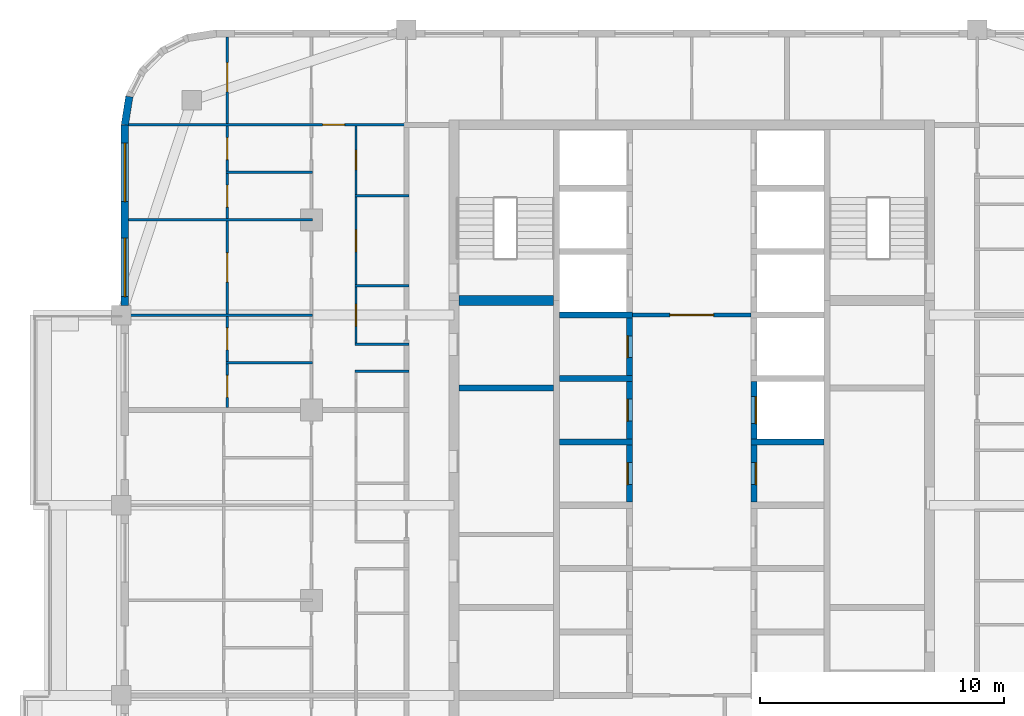
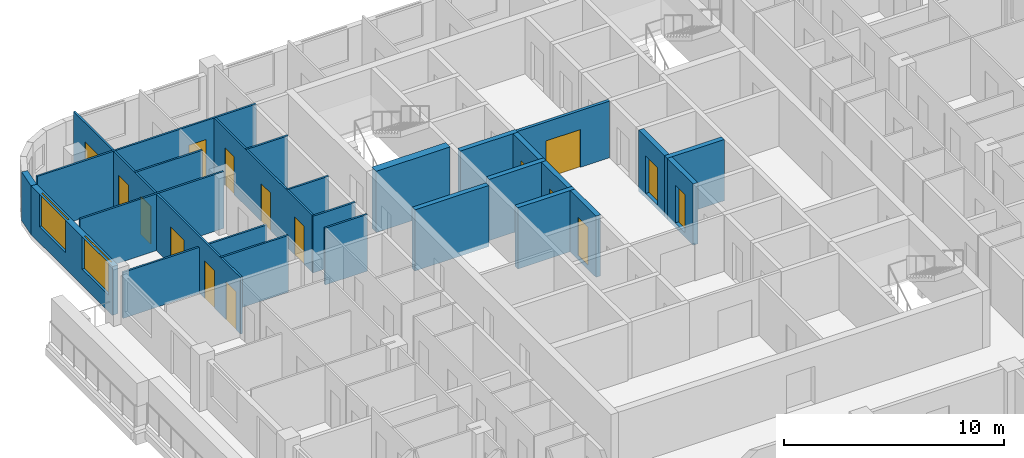
# One storey, part 9 of 17: 25 walls, 16 doors, 2 windows, 18 openings.
"""IFC4 building model written with IfcOpenShell, lengths in metres."""

from ifc_helpers import new_model, si_unit, direction, frame, frame_2d, origin, place, context, subcontext, project, spatial, rectangle, extrude, material, layer, layer_set, type_object, element, fill, save


model = new_model("IFC4")

# Units and contexts
model_context = context("Model", 3, precision=1e-05, world=origin(), true_north=direction((0.0, 1.0)))
body_context = subcontext(model_context, "Body", "Model", "MODEL_VIEW")
ifc_project = project(units=[si_unit("LENGTHUNIT", "METRE"), si_unit("AREAUNIT", "SQUARE_METRE"), si_unit("VOLUMEUNIT", "CUBIC_METRE"), si_unit("PLANEANGLEUNIT", "RADIAN"), si_unit("MASSUNIT", "GRAM", prefix="KILO")], contexts=[model_context])

# Site, building, storey
site_placement = place(None, origin())
site = spatial("IfcSite", under=ifc_project, at=site_placement, CompositionType="ELEMENT")
building_placement = place(site_placement, origin())
building = spatial("IfcBuilding", under=site, at=building_placement, Name="Ludao Terraces", CompositionType="ELEMENT")
storey_placement = place(building_placement, frame((0.0, 0.0, 231.300048828125)))
storey = spatial("IfcBuildingStorey", under=building, at=storey_placement, Name="L63", CompositionType="ELEMENT", Elevation=231.300048828125)

# Wall, openings, windows
ifc_material_1 = material(Name="Granite cladding", Category="masonry")
ifc_layer_1 = layer(ifc_material_1, 0.0400390625, Category="stone")
ifc_material_2 = material(Name="Mineral wool")
ifc_layer_2 = layer(ifc_material_2, 0.06005859375)
ifc_material_3 = material(Name="Concrete C40", Category="concrete")
ifc_layer_3 = layer(ifc_material_3, 0.199951171875, Category="concrete")
ifc_layer_set_1 = layer_set([ifc_layer_1, ifc_layer_2, ifc_layer_3], Name="ENV Stone-clad wall 300")
wall_type_1 = type_object("IfcWallType", Name="ENV Stone-clad wall 300", PredefinedType="SOLIDWALL", material=ifc_layer_set_1)
wall_1_placement = place(storey_placement, frame((61.75, 77.10009765625, 0.0), z_axis=(0.0, 0.0, 1.0), x_axis=(0.0, 1.0, 0.0)))
wall_1 = element("IfcWall", 1, at=wall_1_placement, inside=storey, type_object=wall_type_1, Name="EW-L63-W5", PredefinedType="SOLIDWALL", context=body_context, shape_type="SweptSolid", body=[
    extrude(rectangle(XDim=7.39990234375, YDim=0.300048828125, at=frame_2d((3.699951171875, 0.0))), origin(), (0.0, 0.0, 1.0), 2.699951171875),
])
opening_1_placement = place(wall_1_placement, frame((0.35009765625, 0.0, 0.89990234375)))
opening_1 = element("IfcOpeningElement", 2, at=opening_1_placement, cuts=wall_1, Name="Opening W1", PredefinedType="OPENING", context=body_context, shape_type="SweptSolid", body=[
    extrude(rectangle(XDim=2.39990234375, YDim=1.800048828125, at=frame_2d((1.199951171875, 0.89990234375))), frame((0.0, 0.16015625, 0.0), z_axis=(0.0, -1.0, 0.0), x_axis=(1.0, 0.0, 0.0)), (0.0, 0.0, 1.0), 0.320068359375),
])
opening_2_placement = place(wall_1_placement, frame((4.25, 0.0, 0.89990234375)))
opening_2 = element("IfcOpeningElement", 3, at=opening_2_placement, cuts=wall_1, Name="Opening W1", PredefinedType="OPENING", context=body_context, shape_type="SweptSolid", body=[
    extrude(rectangle(XDim=2.39990234375, YDim=1.800048828125, at=frame_2d((1.199951171875, 0.89990234375))), frame((0.0, 0.16015625, 0.0), z_axis=(0.0, -1.0, 0.0), x_axis=(1.0, 0.0, 0.0)), (0.0, 0.0, 1.0), 0.320068359375),
])
ifc_material_4 = material(Name="Clear glass in aluminium frame", Category="aluminium")
ifc_layer_4 = layer(ifc_material_4, 0.06005859375)
ifc_layer_set_2 = layer_set([ifc_layer_4], Name="ENV Window W1 2400x1800")
window_type = type_object("IfcWindowType", Name="ENV Window W1 2400x1800", PartitioningType="DOUBLE_PANEL_VERTICAL", PredefinedType="WINDOW", material=ifc_layer_set_2)
window_1_placement = place(opening_1_placement, origin())
window_1 = element("IfcWindow", 4, at=window_1_placement, inside=storey, type_object=window_type, Name="W-L63-W5-1", OverallHeight=1.800048828125, OverallWidth=2.39990234375, PartitioningType="DOUBLE_PANEL_VERTICAL", PredefinedType="WINDOW", context=body_context, shape_type="SweptSolid", body=[
    extrude(rectangle(XDim=2.39990234375, YDim=1.800048828125, at=frame_2d((1.199951171875, 0.89990234375))), frame((0.0, 0.030029296875, 0.0), z_axis=(0.0, -1.0, 0.0), x_axis=(1.0, 0.0, 0.0)), (0.0, 0.0, 1.0), 0.06005859375),
])
fill(opening_1, window_1)
window_2_placement = place(opening_2_placement, origin())
window_2 = element("IfcWindow", 5, at=window_2_placement, inside=storey, type_object=window_type, Name="W-L63-W5-2", OverallHeight=1.800048828125, OverallWidth=2.39990234375, PartitioningType="DOUBLE_PANEL_VERTICAL", PredefinedType="WINDOW", context=body_context, shape_type="SweptSolid", body=[
    extrude(rectangle(XDim=2.39990234375, YDim=1.800048828125, at=frame_2d((1.199951171875, 0.89990234375))), frame((0.0, 0.030029296875, 0.0), z_axis=(0.0, -1.0, 0.0), x_axis=(1.0, 0.0, 0.0)), (0.0, 0.0, 1.0), 0.06005859375),
])
fill(opening_2, window_2)

# Wall
wall_2_placement = place(storey_placement, frame((61.93359375, 85.65869140625, 0.0), z_axis=(0.0, 0.0, 1.0), x_axis=(-0.156496880861, -0.987678452879, 0.0)))
element("IfcWall", 6, at=wall_2_placement, inside=storey, type_object=wall_type_1, Name="EW-L63-NW5", PredefinedType="SOLIDWALL", context=body_context, shape_type="SweptSolid", body=[
    extrude(rectangle(XDim=1.173095703125, YDim=0.300048828125, at=frame_2d((0.58642578125, 0.0))), origin(), (0.0, 0.0, 1.0), 2.699951171875),
])

# Wall, opening, door
ifc_material_5 = material(Name="Fire-rated gypsum plasterboard", Category="gypsum")
ifc_layer_5 = layer(ifc_material_5, 0.012451171875, Category="gypsum")
ifc_layer_6 = layer(ifc_material_2, 0.10009765625, Name="insulation")
ifc_material_6 = material(Name="Steel Q235", Category="steel")
ifc_layer_7 = layer(ifc_material_6, 0.02490234375, Name="stud")
ifc_layer_8 = layer(ifc_material_5, 0.012451171875, Category="gypsum")
ifc_layer_set_3 = layer_set([ifc_layer_5, ifc_layer_6, ifc_layer_7, ifc_layer_8], Name="INT Core partition 150")
wall_type_2 = type_object("IfcWallType", Name="INT Core partition 150", PredefinedType="PARTITIONING", material=ifc_layer_set_3)
wall_3_placement = place(storey_placement, frame((82.5751953125, 76.699951171875, 0.0), z_axis=(0.0, 0.0, 1.0), x_axis=(1.0, 0.0, 0.0)))
wall_3 = element("IfcWall", 7, at=wall_3_placement, inside=storey, type_object=wall_type_2, Name="PW-L63-PW055", PredefinedType="PARTITIONING", context=body_context, shape_type="SweptSolid", body=[
    extrude(rectangle(XDim=4.849853515625, YDim=0.14990234375, at=frame_2d((2.4248046875, 0.0))), origin(), (0.0, 0.0, 1.0), 3.14990234375),
])
opening_3_placement = place(wall_3_placement, frame((1.52490234375, 0.0, 0.0)))
opening_3 = element("IfcOpeningElement", 8, at=opening_3_placement, cuts=wall_3, Name="Opening R22-105", PredefinedType="OPENING", context=body_context, shape_type="SweptSolid", body=[
    extrude(rectangle(XDim=1.800048828125, YDim=2.10009765625, at=frame_2d((0.89990234375, 1.050048828125))), frame((0.0, 0.0849609375, 0.0), z_axis=(0.0, -1.0, 0.0), x_axis=(1.0, 0.0, 0.0)), (0.0, 0.0, 1.0), 0.169921875),
])
door_type_1 = type_object("IfcDoorType", Name="INT Fire lobby door 1800", OperationType="DOUBLE_DOOR_SINGLE_SWING", PredefinedType="DOOR", material=ifc_material_6)
door_1_placement = place(opening_3_placement, origin())
door_1 = element("IfcDoor", 9, at=door_1_placement, inside=storey, type_object=door_type_1, Name="DOOR 105", OperationType="DOUBLE_DOOR_SINGLE_SWING", OverallHeight=2.10009765625, OverallWidth=1.800048828125, PredefinedType="DOOR", context=body_context, shape_type="SweptSolid", body=[
    extrude(rectangle(XDim=1.800048828125, YDim=2.10009765625, at=frame_2d((0.89990234375, 1.050048828125))), frame((0.0, 0.02490234375, 0.0), z_axis=(0.0, -1.0, 0.0), x_axis=(1.0, 0.0, 0.0)), (0.0, 0.0, 1.0), 0.050048828125),
])
fill(opening_3, door_1)

# Walls
ifc_material_7 = material(Name="Gypsum plasterboard", Category="gypsum")
ifc_layer_9 = layer(ifc_material_7, 0.012451171875, Category="gypsum")
ifc_layer_10 = layer(ifc_material_2, 0.06005859375, Name="insulation")
ifc_layer_11 = layer(ifc_material_6, 0.014892578125, Name="stud")
ifc_layer_12 = layer(ifc_material_7, 0.012451171875, Category="gypsum")
ifc_layer_set_4 = layer_set([ifc_layer_9, ifc_layer_10, ifc_layer_11, ifc_layer_12], Name="INT Partition 100")
wall_type_3 = type_object("IfcWallType", Name="INT Partition 100", PredefinedType="PARTITIONING", material=ifc_layer_set_4)
wall_4_placement = place(storey_placement, frame((71.18017578125, 74.39990234375, 0.0), z_axis=(0.0, 0.0, 1.0), x_axis=(1.0, 0.0, 0.0)))
element("IfcWall", 10, at=wall_4_placement, inside=storey, type_object=wall_type_3, Name="PW-L63-PW050", PredefinedType="PARTITIONING", context=body_context, shape_type="SweptSolid", body=[
    extrude(rectangle(XDim=2.219970703125, YDim=0.10009765625, at=frame_2d((1.10986328125, 0.0))), origin(), (0.0, 0.0, 1.0), 3.14990234375),
])
wall_5_placement = place(storey_placement, frame((65.900146484375, 74.75, 0.0), z_axis=(0.0, 0.0, 1.0), x_axis=(1.0, 0.0, 0.0)))
element("IfcWall", 11, at=wall_5_placement, inside=storey, type_object=wall_type_3, Name="PW-L63-PW051", PredefinedType="PARTITIONING", context=body_context, shape_type="SweptSolid", body=[
    extrude(rectangle(XDim=3.550048828125, YDim=0.10009765625, at=frame_2d((1.77490234375, 0.0))), origin(), (0.0, 0.0, 1.0), 3.14990234375),
])
wall_6_placement = place(storey_placement, frame((71.18017578125, 75.5, 0.0), z_axis=(0.0, 0.0, 1.0), x_axis=(1.0, 0.0, 0.0)))
element("IfcWall", 12, at=wall_6_placement, inside=storey, type_object=wall_type_3, Name="PW-L63-PW053", PredefinedType="PARTITIONING", context=body_context, shape_type="SweptSolid", body=[
    extrude(rectangle(XDim=2.219970703125, YDim=0.10009765625, at=frame_2d((1.10986328125, 0.0))), origin(), (0.0, 0.0, 1.0), 3.14990234375),
])
wall_7_placement = place(storey_placement, frame((61.900146484375, 76.699951171875, 0.0), z_axis=(0.0, 0.0, 1.0), x_axis=(1.0, 0.0, 0.0)))
element("IfcWall", 13, at=wall_7_placement, inside=storey, type_object=wall_type_3, Name="PW-L63-PW054", PredefinedType="PARTITIONING", context=body_context, shape_type="SweptSolid", body=[
    extrude(rectangle(XDim=7.550048828125, YDim=0.10009765625, at=frame_2d((3.77490234375, 0.0))), origin(), (0.0, 0.0, 1.0), 2.5498046875),
])
wall_8_placement = place(storey_placement, frame((71.18017578125, 77.89990234375, 0.0), z_axis=(0.0, 0.0, 1.0), x_axis=(1.0, 0.0, 0.0)))
element("IfcWall", 14, at=wall_8_placement, inside=storey, type_object=wall_type_3, Name="PW-L63-PW057", PredefinedType="PARTITIONING", context=body_context, shape_type="SweptSolid", body=[
    extrude(rectangle(XDim=2.219970703125, YDim=0.10009765625, at=frame_2d((1.10986328125, 0.0))), origin(), (0.0, 0.0, 1.0), 3.14990234375),
])
wall_9_placement = place(storey_placement, frame((61.900146484375, 80.60009765625, 0.0), z_axis=(0.0, 0.0, 1.0), x_axis=(1.0, 0.0, 0.0)))
element("IfcWall", 15, at=wall_9_placement, inside=storey, type_object=wall_type_3, Name="PW-L63-PW059", PredefinedType="PARTITIONING", context=body_context, shape_type="SweptSolid", body=[
    extrude(rectangle(XDim=7.550048828125, YDim=0.10009765625, at=frame_2d((3.77490234375, 0.0))), origin(), (0.0, 0.0, 1.0), 3.14990234375),
])
wall_10_placement = place(storey_placement, frame((71.18017578125, 81.60009765625, 0.0), z_axis=(0.0, 0.0, 1.0), x_axis=(1.0, 0.0, 0.0)))
element("IfcWall", 16, at=wall_10_placement, inside=storey, type_object=wall_type_3, Name="PW-L63-PW062", PredefinedType="PARTITIONING", context=body_context, shape_type="SweptSolid", body=[
    extrude(rectangle(XDim=2.219970703125, YDim=0.10009765625, at=frame_2d((1.10986328125, 0.0))), origin(), (0.0, 0.0, 1.0), 3.14990234375),
])
wall_11_placement = place(storey_placement, frame((65.900146484375, 82.550048828125, 0.0), z_axis=(0.0, 0.0, 1.0), x_axis=(1.0, 0.0, 0.0)))
element("IfcWall", 17, at=wall_11_placement, inside=storey, type_object=wall_type_3, Name="PW-L63-PW064", PredefinedType="PARTITIONING", context=body_context, shape_type="SweptSolid", body=[
    extrude(rectangle(XDim=3.550048828125, YDim=0.10009765625, at=frame_2d((1.77490234375, 0.0))), origin(), (0.0, 0.0, 1.0), 3.14990234375),
])

# Wall, opening, door
wall_12_placement = place(storey_placement, frame((61.900146484375, 84.5, 0.0), z_axis=(0.0, 0.0, 1.0), x_axis=(1.0, 0.0, 0.0)))
wall_12 = element("IfcWall", 18, at=wall_12_placement, inside=storey, type_object=wall_type_3, Name="PW-L63-PW065", PredefinedType="PARTITIONING", context=body_context, shape_type="SweptSolid", body=[
    extrude(rectangle(XDim=11.5, YDim=0.10009765625, at=frame_2d((5.75, 0.0))), origin(), (0.0, 0.0, 1.0), 3.14990234375),
])
opening_4_placement = place(wall_12_placement, frame((7.965087890625, 0.0, 0.0)))
opening_4 = element("IfcOpeningElement", 19, at=opening_4_placement, cuts=wall_12, Name="Opening R22-129", PredefinedType="OPENING", context=body_context, shape_type="SweptSolid", body=[
    extrude(rectangle(XDim=0.89990234375, YDim=2.10009765625, at=frame_2d((0.449951171875, 1.050048828125))), frame((0.0, 0.06005859375, 0.0), z_axis=(0.0, -1.0, 0.0), x_axis=(1.0, 0.0, 0.0)), (0.0, 0.0, 1.0), 0.1201171875),
])
ifc_material_8 = material(Name="Timber door leaf", Category="wood")
door_type_2 = type_object("IfcDoorType", Name="INT Room door 900", OperationType="SINGLE_SWING_LEFT", PredefinedType="DOOR", material=ifc_material_8)
door_2_placement = place(opening_4_placement, origin())
door_2 = element("IfcDoor", 20, at=door_2_placement, inside=storey, type_object=door_type_2, Name="DOOR 129", OperationType="SINGLE_SWING_LEFT", OverallHeight=2.10009765625, OverallWidth=0.89990234375, PredefinedType="DOOR", context=body_context, shape_type="SweptSolid", body=[
    extrude(rectangle(XDim=0.89990234375, YDim=2.10009765625, at=frame_2d((0.449951171875, 1.050048828125))), frame((0.0, 0.02490234375, 0.0), z_axis=(0.0, -1.0, 0.0), x_axis=(1.0, 0.0, 0.0)), (0.0, 0.0, 1.0), 0.050048828125),
])
fill(opening_4, door_2)

# Wall, openings, doors
wall_13_placement = place(storey_placement, frame((65.949951171875, 72.900146484375, 0.0), z_axis=(0.0, 0.0, 1.0), x_axis=(0.0, 1.0, 0.0)))
wall_13 = element("IfcWall", 21, at=wall_13_placement, inside=storey, type_object=wall_type_3, Name="PW-L63-PW071", PredefinedType="PARTITIONING", context=body_context, shape_type="SweptSolid", body=[
    extrude(rectangle(XDim=15.199951171875, YDim=0.10009765625, at=frame_2d((7.60009765625, 0.0))), origin(), (0.0, 0.0, 1.0), 3.14990234375),
])
opening_5_placement = place(wall_13_placement, frame((0.425048828125, 0.0, 0.0)))
opening_5 = element("IfcOpeningElement", 22, at=opening_5_placement, cuts=wall_13, Name="Opening R22-092", PredefinedType="OPENING", context=body_context, shape_type="SweptSolid", body=[
    extrude(rectangle(XDim=0.89990234375, YDim=2.10009765625, at=frame_2d((0.449951171875, 1.050048828125))), frame((0.0, 0.06005859375, 0.0), z_axis=(0.0, -1.0, 0.0), x_axis=(1.0, 0.0, 0.0)), (0.0, 0.0, 1.0), 0.1201171875),
])
opening_6_placement = place(wall_13_placement, frame((2.375, 0.0, 0.0)))
opening_6 = element("IfcOpeningElement", 23, at=opening_6_placement, cuts=wall_13, Name="Opening R22-099", PredefinedType="OPENING", context=body_context, shape_type="SweptSolid", body=[
    extrude(rectangle(XDim=0.89990234375, YDim=2.10009765625, at=frame_2d((0.449951171875, 1.050048828125))), frame((0.0, 0.06005859375, 0.0), z_axis=(0.0, -1.0, 0.0), x_axis=(1.0, 0.0, 0.0)), (0.0, 0.0, 1.0), 0.1201171875),
])
opening_7_placement = place(wall_13_placement, frame((5.14990234375, 0.0, 0.0)))
opening_7 = element("IfcOpeningElement", 24, at=opening_7_placement, cuts=wall_13, Name="Opening R22-111", PredefinedType="OPENING", context=body_context, shape_type="SweptSolid", body=[
    extrude(rectangle(XDim=1.199951171875, YDim=2.10009765625, at=frame_2d((0.60009765625, 1.050048828125))), frame((0.0, 0.06005859375, 0.0), z_axis=(0.0, -1.0, 0.0), x_axis=(1.0, 0.0, 0.0)), (0.0, 0.0, 1.0), 0.1201171875),
])
opening_8_placement = place(wall_13_placement, frame((8.22509765625, 0.0, 0.0)))
opening_8 = element("IfcOpeningElement", 25, at=opening_8_placement, cuts=wall_13, Name="Opening R22-119", PredefinedType="OPENING", context=body_context, shape_type="SweptSolid", body=[
    extrude(rectangle(XDim=0.89990234375, YDim=2.10009765625, at=frame_2d((0.449951171875, 1.050048828125))), frame((0.0, 0.06005859375, 0.0), z_axis=(0.0, -1.0, 0.0), x_axis=(1.0, 0.0, 0.0)), (0.0, 0.0, 1.0), 0.1201171875),
])
opening_9_placement = place(wall_13_placement, frame((10.175048828125, 0.0, 0.0)))
opening_9 = element("IfcOpeningElement", 26, at=opening_9_placement, cuts=wall_13, Name="Opening R22-127", PredefinedType="OPENING", context=body_context, shape_type="SweptSolid", body=[
    extrude(rectangle(XDim=0.89990234375, YDim=2.10009765625, at=frame_2d((0.449951171875, 1.050048828125))), frame((0.0, 0.06005859375, 0.0), z_axis=(0.0, -1.0, 0.0), x_axis=(1.0, 0.0, 0.0)), (0.0, 0.0, 1.0), 0.1201171875),
])
opening_10_placement = place(wall_13_placement, frame((12.949951171875, 0.0, 0.0)))
opening_10 = element("IfcOpeningElement", 27, at=opening_10_placement, cuts=wall_13, Name="Opening R22-131", PredefinedType="OPENING", context=body_context, shape_type="SweptSolid", body=[
    extrude(rectangle(XDim=1.199951171875, YDim=2.10009765625, at=frame_2d((0.60009765625, 1.050048828125))), frame((0.0, 0.06005859375, 0.0), z_axis=(0.0, -1.0, 0.0), x_axis=(1.0, 0.0, 0.0)), (0.0, 0.0, 1.0), 0.1201171875),
])
door_type_3 = type_object("IfcDoorType", Name="INT Bathroom door 900", OperationType="SINGLE_SWING_LEFT", PredefinedType="DOOR", material=ifc_material_8)
door_3_placement = place(opening_5_placement, origin())
door_3 = element("IfcDoor", 28, at=door_3_placement, inside=storey, type_object=door_type_3, Name="DOOR 092", OperationType="SINGLE_SWING_RIGHT", OverallHeight=2.10009765625, OverallWidth=0.89990234375, PredefinedType="DOOR", context=body_context, shape_type="SweptSolid", body=[
    extrude(rectangle(XDim=0.89990234375, YDim=2.10009765625, at=frame_2d((0.449951171875, 1.050048828125))), frame((0.0, 0.02490234375, 0.0), z_axis=(0.0, -1.0, 0.0), x_axis=(1.0, 0.0, 0.0)), (0.0, 0.0, 1.0), 0.050048828125),
])
fill(opening_5, door_3)
door_4_placement = place(opening_8_placement, origin())
door_4 = element("IfcDoor", 29, at=door_4_placement, inside=storey, type_object=door_type_3, Name="DOOR 119", OperationType="SINGLE_SWING_LEFT", OverallHeight=2.10009765625, OverallWidth=0.89990234375, PredefinedType="DOOR", context=body_context, shape_type="SweptSolid", body=[
    extrude(rectangle(XDim=0.89990234375, YDim=2.10009765625, at=frame_2d((0.449951171875, 1.050048828125))), frame((0.0, 0.02490234375, 0.0), z_axis=(0.0, -1.0, 0.0), x_axis=(1.0, 0.0, 0.0)), (0.0, 0.0, 1.0), 0.050048828125),
])
fill(opening_8, door_4)
door_type_4 = type_object("IfcDoorType", Name="INT Double door 1200", OperationType="DOUBLE_DOOR_SINGLE_SWING", PredefinedType="DOOR", material=ifc_material_8)
door_5_placement = place(opening_7_placement, origin())
door_5 = element("IfcDoor", 30, at=door_5_placement, inside=storey, type_object=door_type_4, Name="DOOR 111", OperationType="DOUBLE_DOOR_SINGLE_SWING", OverallHeight=2.10009765625, OverallWidth=1.199951171875, PredefinedType="DOOR", context=body_context, shape_type="SweptSolid", body=[
    extrude(rectangle(XDim=1.199951171875, YDim=2.10009765625, at=frame_2d((0.60009765625, 1.050048828125))), frame((0.0, 0.02490234375, 0.0), z_axis=(0.0, -1.0, 0.0), x_axis=(1.0, 0.0, 0.0)), (0.0, 0.0, 1.0), 0.050048828125),
])
fill(opening_7, door_5)
door_6_placement = place(opening_10_placement, origin())
door_6 = element("IfcDoor", 31, at=door_6_placement, inside=storey, type_object=door_type_4, Name="DOOR 131", OperationType="DOUBLE_DOOR_SINGLE_SWING", OverallHeight=2.10009765625, OverallWidth=1.199951171875, PredefinedType="DOOR", context=body_context, shape_type="SweptSolid", body=[
    extrude(rectangle(XDim=1.199951171875, YDim=2.10009765625, at=frame_2d((0.60009765625, 1.050048828125))), frame((0.0, 0.02490234375, 0.0), z_axis=(0.0, -1.0, 0.0), x_axis=(1.0, 0.0, 0.0)), (0.0, 0.0, 1.0), 0.050048828125),
])
fill(opening_10, door_6)
door_7_placement = place(opening_6_placement, origin())
door_7 = element("IfcDoor", 32, at=door_7_placement, inside=storey, type_object=door_type_2, Name="DOOR 099", OperationType="SINGLE_SWING_RIGHT", OverallHeight=2.10009765625, OverallWidth=0.89990234375, PredefinedType="DOOR", context=body_context, shape_type="SweptSolid", body=[
    extrude(rectangle(XDim=0.89990234375, YDim=2.10009765625, at=frame_2d((0.449951171875, 1.050048828125))), frame((0.0, 0.02490234375, 0.0), z_axis=(0.0, -1.0, 0.0), x_axis=(1.0, 0.0, 0.0)), (0.0, 0.0, 1.0), 0.050048828125),
])
fill(opening_6, door_7)
door_8_placement = place(opening_9_placement, origin())
door_8 = element("IfcDoor", 33, at=door_8_placement, inside=storey, type_object=door_type_2, Name="DOOR 127", OperationType="SINGLE_SWING_RIGHT", OverallHeight=2.10009765625, OverallWidth=0.89990234375, PredefinedType="DOOR", context=body_context, shape_type="SweptSolid", body=[
    extrude(rectangle(XDim=0.89990234375, YDim=2.10009765625, at=frame_2d((0.449951171875, 1.050048828125))), frame((0.0, 0.02490234375, 0.0), z_axis=(0.0, -1.0, 0.0), x_axis=(1.0, 0.0, 0.0)), (0.0, 0.0, 1.0), 0.050048828125),
])
fill(opening_9, door_8)

wall_14_placement = place(storey_placement, frame((71.22998046875, 75.550048828125, 0.0), z_axis=(0.0, 0.0, 1.0), x_axis=(0.0, 1.0, 0.0)))
wall_14 = element("IfcWall", 34, at=wall_14_placement, inside=storey, type_object=wall_type_3, Name="PW-L63-PW076", PredefinedType="PARTITIONING", context=body_context, shape_type="SweptSolid", body=[
    extrude(rectangle(XDim=8.900146484375, YDim=0.10009765625, at=frame_2d((4.4501953125, 0.0))), origin(), (0.0, 0.0, 1.0), 3.14990234375),
])
opening_11_placement = place(wall_14_placement, frame((0.699951171875, 0.0, 0.0)))
opening_11 = element("IfcOpeningElement", 35, at=opening_11_placement, cuts=wall_14, Name="Opening R22-104", PredefinedType="OPENING", context=body_context, shape_type="SweptSolid", body=[
    extrude(rectangle(XDim=0.89990234375, YDim=2.10009765625, at=frame_2d((0.449951171875, 1.050048828125))), frame((0.0, 0.06005859375, 0.0), z_axis=(0.0, -1.0, 0.0), x_axis=(1.0, 0.0, 0.0)), (0.0, 0.0, 1.0), 0.1201171875),
])
opening_12_placement = place(wall_14_placement, frame((3.75, 0.0, 0.0)))
opening_12 = element("IfcOpeningElement", 36, at=opening_12_placement, cuts=wall_14, Name="Opening R22-115", PredefinedType="OPENING", context=body_context, shape_type="SweptSolid", body=[
    extrude(rectangle(XDim=0.89990234375, YDim=2.10009765625, at=frame_2d((0.449951171875, 1.050048828125))), frame((0.0, 0.06005859375, 0.0), z_axis=(0.0, -1.0, 0.0), x_axis=(1.0, 0.0, 0.0)), (0.0, 0.0, 1.0), 0.1201171875),
])
opening_13_placement = place(wall_14_placement, frame((7.10009765625, 0.0, 0.0)))
opening_13 = element("IfcOpeningElement", 37, at=opening_13_placement, cuts=wall_14, Name="Opening R22-123", PredefinedType="OPENING", context=body_context, shape_type="SweptSolid", body=[
    extrude(rectangle(XDim=0.800048828125, YDim=2.10009765625, at=frame_2d((0.39990234375, 1.050048828125))), frame((0.0, 0.06005859375, 0.0), z_axis=(0.0, -1.0, 0.0), x_axis=(1.0, 0.0, 0.0)), (0.0, 0.0, 1.0), 0.1201171875),
])
door_9_placement = place(opening_11_placement, origin())
door_9 = element("IfcDoor", 38, at=door_9_placement, inside=storey, type_object=door_type_3, Name="DOOR 104", OperationType="SINGLE_SWING_RIGHT", OverallHeight=2.10009765625, OverallWidth=0.89990234375, PredefinedType="DOOR", context=body_context, shape_type="SweptSolid", body=[
    extrude(rectangle(XDim=0.89990234375, YDim=2.10009765625, at=frame_2d((0.449951171875, 1.050048828125))), frame((0.0, 0.02490234375, 0.0), z_axis=(0.0, -1.0, 0.0), x_axis=(1.0, 0.0, 0.0)), (0.0, 0.0, 1.0), 0.050048828125),
])
fill(opening_11, door_9)
door_10_placement = place(opening_12_placement, origin())
door_10 = element("IfcDoor", 39, at=door_10_placement, inside=storey, type_object=door_type_2, Name="DOOR 115", OperationType="SINGLE_SWING_RIGHT", OverallHeight=2.10009765625, OverallWidth=0.89990234375, PredefinedType="DOOR", context=body_context, shape_type="SweptSolid", body=[
    extrude(rectangle(XDim=0.89990234375, YDim=2.10009765625, at=frame_2d((0.449951171875, 1.050048828125))), frame((0.0, 0.02490234375, 0.0), z_axis=(0.0, -1.0, 0.0), x_axis=(1.0, 0.0, 0.0)), (0.0, 0.0, 1.0), 0.050048828125),
])
fill(opening_12, door_10)
door_type_5 = type_object("IfcDoorType", Name="INT Store door 800", OperationType="SINGLE_SWING_LEFT", PredefinedType="DOOR", material=ifc_material_8)
door_11_placement = place(opening_13_placement, origin())
door_11 = element("IfcDoor", 40, at=door_11_placement, inside=storey, type_object=door_type_5, Name="DOOR 123", OperationType="SINGLE_SWING_RIGHT", OverallHeight=2.10009765625, OverallWidth=0.800048828125, PredefinedType="DOOR", context=body_context, shape_type="SweptSolid", body=[
    extrude(rectangle(XDim=0.800048828125, YDim=2.10009765625, at=frame_2d((0.39990234375, 1.050048828125))), frame((0.0, 0.02490234375, 0.0), z_axis=(0.0, -1.0, 0.0), x_axis=(1.0, 0.0, 0.0)), (0.0, 0.0, 1.0), 0.050048828125),
])
fill(opening_13, door_11)

# Wall, opening, door
ifc_material_9 = material(Name="Concrete C50", Category="concrete")
ifc_layer_13 = layer(ifc_material_9, 0.25)
ifc_layer_set_5 = layer_set([ifc_layer_13], Name="Shaft wall 250 C50")
wall_type_4 = type_object("IfcWallType", Name="Shaft wall 250 C50", PredefinedType="SOLIDWALL", material=ifc_layer_set_5)
wall_15_placement = place(storey_placement, frame((82.449951171875, 69.02490234375, -0.25), z_axis=(0.0, 0.0, 1.0), x_axis=(0.0, 1.0, 0.0)))
wall_15 = element("IfcWall", 41, at=wall_15_placement, inside=storey, type_object=wall_type_4, Name="Core wall L63 front-W4", PredefinedType="SOLIDWALL", context=body_context, shape_type="SweptSolid", body=[
    extrude(rectangle(XDim=2.35009765625, YDim=0.25, at=frame_2d((1.175048828125, 0.0))), origin(), (0.0, 0.0, 1.0), 3.39990234375),
])
opening_14_placement = place(wall_15_placement, frame((0.72509765625, 0.0, 0.25)))
opening_14 = element("IfcOpeningElement", 42, at=opening_14_placement, cuts=wall_15, Name="Opening R22-079", PredefinedType="OPENING", context=body_context, shape_type="SweptSolid", body=[
    extrude(rectangle(XDim=0.89990234375, YDim=2.10009765625, at=frame_2d((0.449951171875, 1.050048828125))), frame((0.0, 0.135009765625, 0.0), z_axis=(0.0, -1.0, 0.0), x_axis=(1.0, 0.0, 0.0)), (0.0, 0.0, 1.0), 0.27001953125),
])
door_12_placement = place(opening_14_placement, origin())
door_12 = element("IfcDoor", 43, at=door_12_placement, inside=storey, type_object=door_type_2, Name="DOOR 079", OperationType="SINGLE_SWING_RIGHT", OverallHeight=2.10009765625, OverallWidth=0.89990234375, PredefinedType="DOOR", context=body_context, shape_type="SweptSolid", body=[
    extrude(rectangle(XDim=0.89990234375, YDim=2.10009765625, at=frame_2d((0.449951171875, 1.050048828125))), frame((0.0, 0.10986328125, 0.0), z_axis=(0.0, -1.0, 0.0), x_axis=(1.0, 0.0, 0.0)), (0.0, 0.0, 1.0), 0.050048828125),
])
fill(opening_14, door_12)

# Wall
wall_16_placement = place(storey_placement, frame((79.574951171875, 71.5, -0.25), z_axis=(0.0, 0.0, 1.0), x_axis=(1.0, 0.0, 0.0)))
element("IfcWall", 44, at=wall_16_placement, inside=storey, type_object=wall_type_4, Name="Core wall L63 div-W5", PredefinedType="SOLIDWALL", context=body_context, shape_type="SweptSolid", body=[
    extrude(rectangle(XDim=3.0, YDim=0.25, at=frame_2d((1.5, 0.0))), origin(), (0.0, 0.0, 1.0), 3.39990234375),
])

# Wall, opening, door
wall_17_placement = place(storey_placement, frame((82.449951171875, 71.625, -0.25), z_axis=(0.0, 0.0, 1.0), x_axis=(0.0, 1.0, 0.0)))
wall_17 = element("IfcWall", 45, at=wall_17_placement, inside=storey, type_object=wall_type_4, Name="Core wall L63 front-W5", PredefinedType="SOLIDWALL", context=body_context, shape_type="SweptSolid", body=[
    extrude(rectangle(XDim=2.35009765625, YDim=0.25, at=frame_2d((1.175048828125, 0.0))), origin(), (0.0, 0.0, 1.0), 3.39990234375),
])
opening_15_placement = place(wall_17_placement, frame((0.72509765625, 0.0, 0.25)))
opening_15 = element("IfcOpeningElement", 46, at=opening_15_placement, cuts=wall_17, Name="Opening R22-087", PredefinedType="OPENING", context=body_context, shape_type="SweptSolid", body=[
    extrude(rectangle(XDim=0.89990234375, YDim=2.10009765625, at=frame_2d((0.449951171875, 1.050048828125))), frame((0.0, 0.135009765625, 0.0), z_axis=(0.0, -1.0, 0.0), x_axis=(1.0, 0.0, 0.0)), (0.0, 0.0, 1.0), 0.27001953125),
])
door_13_placement = place(opening_15_placement, origin())
door_13 = element("IfcDoor", 47, at=door_13_placement, inside=storey, type_object=door_type_2, Name="DOOR 087", OperationType="SINGLE_SWING_LEFT", OverallHeight=2.10009765625, OverallWidth=0.89990234375, PredefinedType="DOOR", context=body_context, shape_type="SweptSolid", body=[
    extrude(rectangle(XDim=0.89990234375, YDim=2.10009765625, at=frame_2d((0.449951171875, 1.050048828125))), frame((0.0, 0.10986328125, 0.0), z_axis=(0.0, -1.0, 0.0), x_axis=(1.0, 0.0, 0.0)), (0.0, 0.0, 1.0), 0.050048828125),
])
fill(opening_15, door_13)

# Wall
wall_18_placement = place(storey_placement, frame((79.574951171875, 74.10009765625, -0.25), z_axis=(0.0, 0.0, 1.0), x_axis=(1.0, 0.0, 0.0)))
element("IfcWall", 48, at=wall_18_placement, inside=storey, type_object=wall_type_4, Name="Core wall L63 div-W6", PredefinedType="SOLIDWALL", context=body_context, shape_type="SweptSolid", body=[
    extrude(rectangle(XDim=3.0, YDim=0.25, at=frame_2d((1.5, 0.0))), origin(), (0.0, 0.0, 1.0), 3.39990234375),
])

# Wall, opening, door
wall_19_placement = place(storey_placement, frame((82.449951171875, 74.22509765625, -0.25), z_axis=(0.0, 0.0, 1.0), x_axis=(0.0, 1.0, 0.0)))
wall_19 = element("IfcWall", 49, at=wall_19_placement, inside=storey, type_object=wall_type_4, Name="Core wall L63 front-W6", PredefinedType="SOLIDWALL", context=body_context, shape_type="SweptSolid", body=[
    extrude(rectangle(XDim=2.349853515625, YDim=0.25, at=frame_2d((1.1748046875, 0.0))), origin(), (0.0, 0.0, 1.0), 3.39990234375),
])
opening_16_placement = place(wall_19_placement, frame((0.72509765625, 0.0, 0.25)))
opening_16 = element("IfcOpeningElement", 50, at=opening_16_placement, cuts=wall_19, Name="Opening R22-094", PredefinedType="OPENING", context=body_context, shape_type="SweptSolid", body=[
    extrude(rectangle(XDim=0.89990234375, YDim=2.10009765625, at=frame_2d((0.449951171875, 1.050048828125))), frame((0.0, 0.135009765625, 0.0), z_axis=(0.0, -1.0, 0.0), x_axis=(1.0, 0.0, 0.0)), (0.0, 0.0, 1.0), 0.27001953125),
])
door_14_placement = place(opening_16_placement, origin())
door_14 = element("IfcDoor", 51, at=door_14_placement, inside=storey, type_object=door_type_2, Name="DOOR 094", OperationType="SINGLE_SWING_LEFT", OverallHeight=2.10009765625, OverallWidth=0.89990234375, PredefinedType="DOOR", context=body_context, shape_type="SweptSolid", body=[
    extrude(rectangle(XDim=0.89990234375, YDim=2.10009765625, at=frame_2d((0.449951171875, 1.050048828125))), frame((0.0, 0.10986328125, 0.0), z_axis=(0.0, -1.0, 0.0), x_axis=(1.0, 0.0, 0.0)), (0.0, 0.0, 1.0), 0.050048828125),
])
fill(opening_16, door_14)

# Wall
wall_20_placement = place(storey_placement, frame((79.574951171875, 76.699951171875, -0.25), z_axis=(0.0, 0.0, 1.0), x_axis=(1.0, 0.0, 0.0)))
element("IfcWall", 52, at=wall_20_placement, inside=storey, type_object=wall_type_4, Name="Core wall L63 div-W7", PredefinedType="SOLIDWALL", context=body_context, shape_type="SweptSolid", body=[
    extrude(rectangle(XDim=3.0, YDim=0.25, at=frame_2d((1.5, 0.0))), origin(), (0.0, 0.0, 1.0), 3.39990234375),
])

# Wall, opening, door
wall_21_placement = place(storey_placement, frame((87.550048828125, 69.02490234375, -0.25), z_axis=(0.0, 0.0, 1.0), x_axis=(0.0, 1.0, 0.0)))
wall_21 = element("IfcWall", 53, at=wall_21_placement, inside=storey, type_object=wall_type_4, Name="Core wall L63 front-E4", PredefinedType="SOLIDWALL", context=body_context, shape_type="SweptSolid", body=[
    extrude(rectangle(XDim=2.35009765625, YDim=0.25, at=frame_2d((1.175048828125, 0.0))), origin(), (0.0, 0.0, 1.0), 3.39990234375),
])
opening_17_placement = place(wall_21_placement, frame((0.72509765625, 0.0, 0.25)))
opening_17 = element("IfcOpeningElement", 54, at=opening_17_placement, cuts=wall_21, Name="Opening R22-080", PredefinedType="OPENING", context=body_context, shape_type="SweptSolid", body=[
    extrude(rectangle(XDim=0.89990234375, YDim=2.10009765625, at=frame_2d((0.449951171875, 1.050048828125))), frame((0.0, 0.135009765625, 0.0), z_axis=(0.0, -1.0, 0.0), x_axis=(1.0, 0.0, 0.0)), (0.0, 0.0, 1.0), 0.27001953125),
])
door_15_placement = place(opening_17_placement, origin())
door_15 = element("IfcDoor", 55, at=door_15_placement, inside=storey, type_object=door_type_2, Name="DOOR 080", OperationType="SINGLE_SWING_LEFT", OverallHeight=2.10009765625, OverallWidth=0.89990234375, PredefinedType="DOOR", context=body_context, shape_type="SweptSolid", body=[
    extrude(rectangle(XDim=0.89990234375, YDim=2.10009765625, at=frame_2d((0.449951171875, 1.050048828125))), frame((0.0, -0.06005859375, 0.0), z_axis=(0.0, -1.0, 0.0), x_axis=(1.0, 0.0, 0.0)), (0.0, 0.0, 1.0), 0.050048828125),
])
fill(opening_17, door_15)

# Wall
wall_22_placement = place(storey_placement, frame((87.425048828125, 71.5, -0.25), z_axis=(0.0, 0.0, 1.0), x_axis=(1.0, 0.0, 0.0)))
element("IfcWall", 56, at=wall_22_placement, inside=storey, type_object=wall_type_4, Name="Core wall L63 div-E5", PredefinedType="SOLIDWALL", context=body_context, shape_type="SweptSolid", body=[
    extrude(rectangle(XDim=3.0, YDim=0.25, at=frame_2d((1.5, 0.0))), origin(), (0.0, 0.0, 1.0), 3.39990234375),
])

# Wall, opening, door
wall_23_placement = place(storey_placement, frame((87.550048828125, 71.625, -0.25), z_axis=(0.0, 0.0, 1.0), x_axis=(0.0, 1.0, 0.0)))
wall_23 = element("IfcWall", 57, at=wall_23_placement, inside=storey, type_object=wall_type_4, Name="Core wall L63 front-E5", PredefinedType="SOLIDWALL", context=body_context, shape_type="SweptSolid", body=[
    extrude(rectangle(XDim=2.35009765625, YDim=0.25, at=frame_2d((1.175048828125, 0.0))), origin(), (0.0, 0.0, 1.0), 3.39990234375),
])
opening_18_placement = place(wall_23_placement, frame((0.625, 0.0, 0.25)))
opening_18 = element("IfcOpeningElement", 58, at=opening_18_placement, cuts=wall_23, Name="Opening LD-LB1", PredefinedType="OPENING", context=body_context, shape_type="SweptSolid", body=[
    extrude(rectangle(XDim=1.10009765625, YDim=2.10009765625, at=frame_2d((0.550048828125, 1.050048828125))), frame((0.0, 0.135009765625, 0.0), z_axis=(0.0, -1.0, 0.0), x_axis=(1.0, 0.0, 0.0)), (0.0, 0.0, 1.0), 0.27001953125),
])
ifc_material_10 = material(Name="Stainless steel 304", Category="steel")
door_type_6 = type_object("IfcDoorType", Name="INT Lift landing door 1100", OperationType="SLIDING_TO_LEFT", PredefinedType="DOOR", material=ifc_material_10)
door_16_placement = place(opening_18_placement, origin())
door_16 = element("IfcDoor", 59, at=door_16_placement, inside=storey, type_object=door_type_6, Name="LANDING DOOR LB1 L63", OperationType="SLIDING_TO_LEFT", OverallHeight=2.10009765625, OverallWidth=1.10009765625, PredefinedType="DOOR", context=body_context, shape_type="SweptSolid", body=[
    extrude(rectangle(XDim=1.10009765625, YDim=2.10009765625, at=frame_2d((0.550048828125, 1.050048828125))), frame((0.0, -0.06005859375, 0.0), z_axis=(0.0, -1.0, 0.0), x_axis=(1.0, 0.0, 0.0)), (0.0, 0.0, 1.0), 0.050048828125),
])
fill(opening_18, door_16)

# Walls
wall_24_placement = place(storey_placement, frame((75.449951171875, 73.699951171875, -0.25), z_axis=(0.0, 0.0, 1.0), x_axis=(1.0, 0.0, 0.0)))
element("IfcWall", 60, at=wall_24_placement, inside=storey, type_object=wall_type_4, Name="Core wall L63 riser-b-W", PredefinedType="SOLIDWALL", context=body_context, shape_type="SweptSolid", body=[
    extrude(rectangle(XDim=3.875, YDim=0.25, at=frame_2d((1.9375, 0.0))), origin(), (0.0, 0.0, 1.0), 3.39990234375),
])
ifc_layer_14 = layer(ifc_material_9, 0.39990234375)
ifc_layer_set_6 = layer_set([ifc_layer_14], Name="Shaft wall 400 C50")
wall_type_5 = type_object("IfcWallType", Name="Shaft wall 400 C50", PredefinedType="SOLIDWALL", material=ifc_layer_set_6)
wall_25_placement = place(storey_placement, frame((75.449951171875, 77.300048828125, -0.25), z_axis=(0.0, 0.0, 1.0), x_axis=(1.0, 0.0, 0.0)))
element("IfcWall", 61, at=wall_25_placement, inside=storey, type_object=wall_type_5, Name="Core wall L63 stair-W", PredefinedType="SOLIDWALL", context=body_context, shape_type="SweptSolid", body=[
    extrude(rectangle(XDim=3.875, YDim=0.39990234375, at=frame_2d((1.9375, 0.0))), origin(), (0.0, 0.0, 1.0), 3.39990234375),
])

save(model, "model.ifc")
